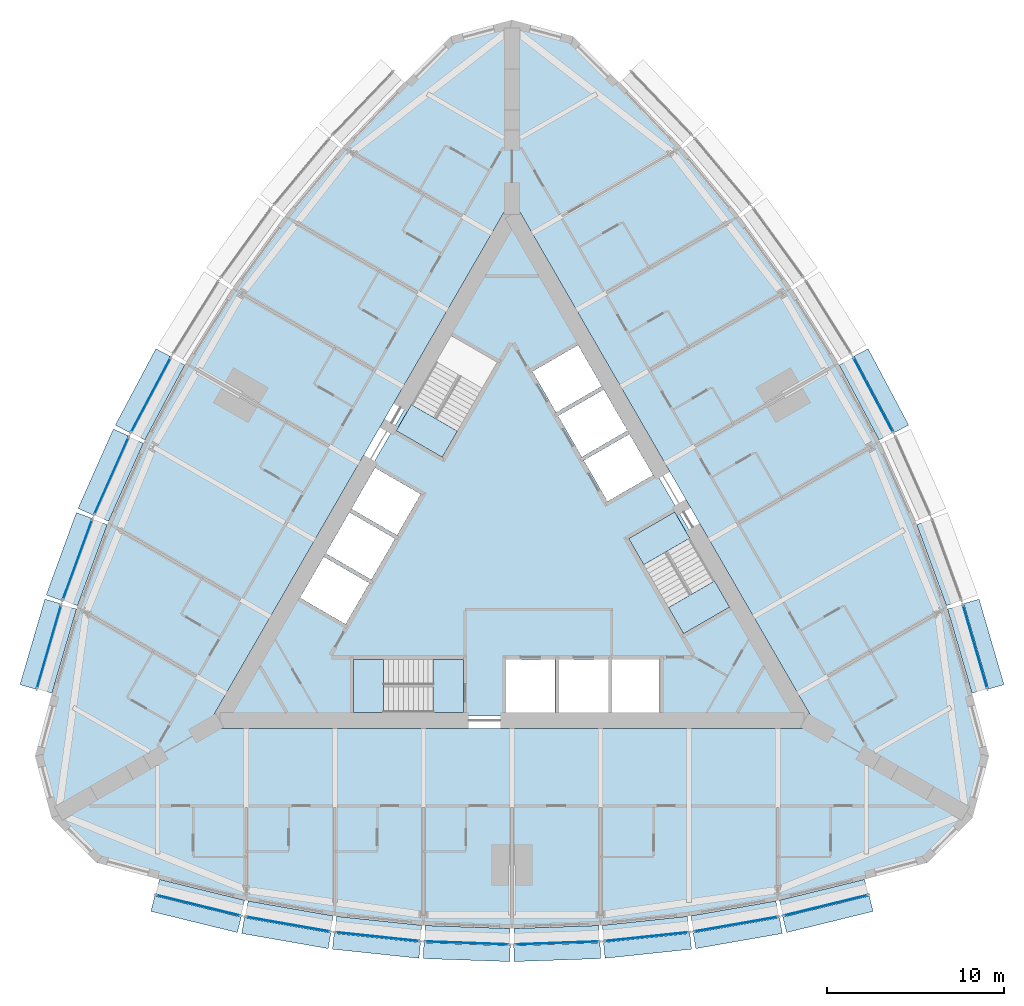
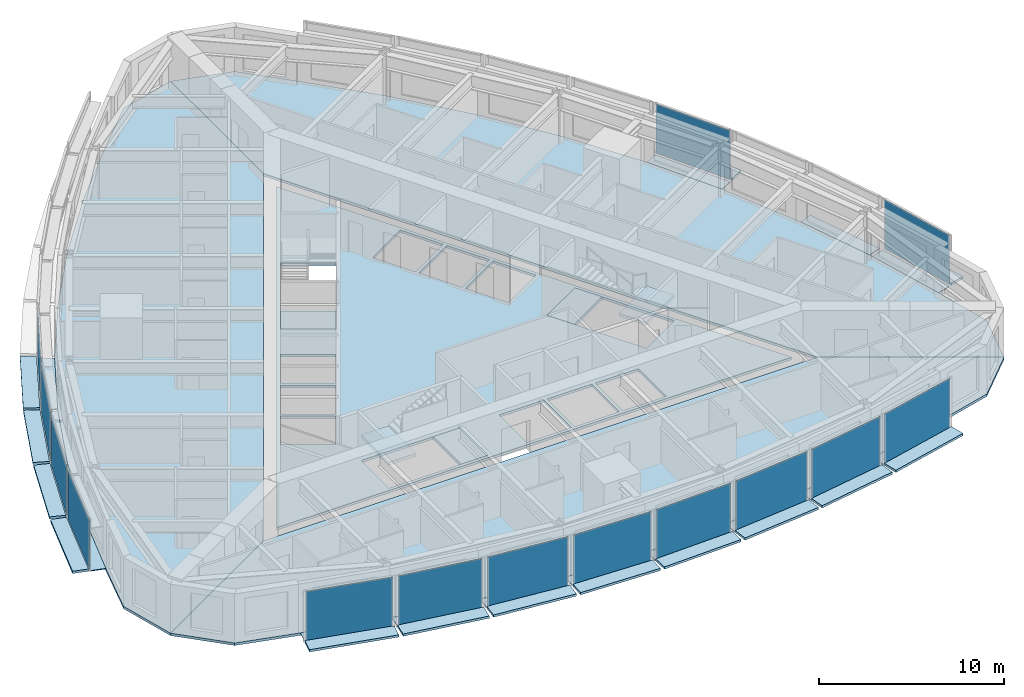
# One storey, part 6 of 14: 43 plates, 9 slabs, 17 elements without a shape of their own.
"""IFC4 building model written with IfcOpenShell, lengths in metres."""

from ifc_helpers import new_model, si_unit, direction, frame, origin, origin_2d, place, context, subcontext, project, spatial, polyline, rectangle, outline, extrude, material, layer, layer_set, type_object, element, aggregate, save


model = new_model("IFC4")

# Units and contexts
model_context = context("Model", 3, precision=1e-05, world=origin(), true_north=direction((0.0, 1.0)))
body_context = subcontext(model_context, "Body", "Model", "MODEL_VIEW")
ifc_project = project(units=[si_unit("LENGTHUNIT", "METRE"), si_unit("AREAUNIT", "SQUARE_METRE"), si_unit("VOLUMEUNIT", "CUBIC_METRE"), si_unit("PLANEANGLEUNIT", "RADIAN"), si_unit("MASSUNIT", "GRAM", prefix="KILO")], contexts=[model_context])

# Site, building, storey
site_placement = place(None, origin())
site = spatial("IfcSite", under=ifc_project, at=site_placement, CompositionType="ELEMENT")
building_placement = place(site_placement, origin())
building = spatial("IfcBuilding", under=site, at=building_placement, Name="Trikona Tower", CompositionType="ELEMENT")
storey_placement = place(building_placement, frame((0.0, 0.0, 114.699951171875)))
storey = spatial("IfcBuildingStorey", under=building, at=storey_placement, Name="L29", CompositionType="ELEMENT", Elevation=114.699951171875)

# Plates
ifc_material_1 = material(Name="Aluminium bar grating", Category="aluminium")
ifc_layer_1 = layer(ifc_material_1, 0.050048828125)
ifc_layer_set_1 = layer_set([ifc_layer_1], Name="Cavity catwalk grating")
plate_type_1 = type_object("IfcPlateType", Name="Cavity catwalk grating", PredefinedType="USERDEFINED", material=ifc_layer_set_1)
plate_1_placement = place(storey_placement, frame((-17.598876953125, -19.49072265625, -0.0498046875), z_axis=(0.0, 0.0, 1.0), x_axis=(0.971274411564, -0.237962218516, 0.0)))
element("IfcPlate", 1, at=plate_1_placement, inside=storey, type_object=plate_type_1, Name="Cavity catwalk L29-00", ObjectType="CATWALK GRATING", PredefinedType="USERDEFINED", context=body_context, shape_type="SweptSolid", body=[
    extrude(rectangle(XDim=4.947998046875, YDim=0.830078125, at=origin_2d()), origin(), (0.0, 0.0, 1.0), 0.050048828125),
])
plate_2_placement = place(storey_placement, frame((-12.571533203125, -20.54638671875, -0.0498046875), z_axis=(0.0, 0.0, 1.0), x_axis=(0.985030604067, -0.172379549401, 0.0)))
element("IfcPlate", 2, at=plate_2_placement, inside=storey, type_object=plate_type_1, Name="Cavity catwalk L29-01", ObjectType="CATWALK GRATING", PredefinedType="USERDEFINED", context=body_context, shape_type="SweptSolid", body=[
    extrude(rectangle(XDim=4.8759765625, YDim=0.830078125, at=origin_2d()), origin(), (0.0, 0.0, 1.0), 0.050048828125),
])
plate_3_placement = place(storey_placement, frame((-7.543212890625, -21.25048828125, -0.0498046875), z_axis=(0.0, 0.0, 1.0), x_axis=(0.994532653854, -0.104426052392, 0.0)))
element("IfcPlate", 3, at=plate_3_placement, inside=storey, type_object=plate_type_1, Name="Cavity catwalk L29-02", ObjectType="CATWALK GRATING", PredefinedType="USERDEFINED", context=body_context, shape_type="SweptSolid", body=[
    extrude(rectangle(XDim=4.827392578125, YDim=0.830078125, at=origin_2d()), origin(), (0.0, 0.0, 1.0), 0.050048828125),
])
for number, where, z_axis, x_axis, name in (
    (4, (-2.514404296875, -21.602294921875, -0.0498046875), (0.0, 0.0, 1.0), (0.999388082937, -0.034977988567, 0.0), "Cavity catwalk L29-03"),
    (5, (2.514404296875, -21.602294921875, -0.0498046875), (0.0, 0.0, 1.0), (0.999388082937, 0.034977988567, 0.0), "Cavity catwalk L29-04"),
):
    element("IfcPlate", number, at=place(storey_placement, frame(where, z_axis=z_axis, x_axis=x_axis)), inside=storey, type_object=plate_type_1, Name=name, ObjectType="CATWALK GRATING", PredefinedType="USERDEFINED", context=body_context, shape_type="SweptSolid", body=[
        extrude(rectangle(XDim=4.802978515625, YDim=0.830078125, at=origin_2d()), origin(), (0.0, 0.0, 1.0), 0.050048828125),
    ])
plate_4_placement = place(storey_placement, frame((7.543212890625, -21.25048828125, -0.0498046875), z_axis=(0.0, 0.0, 1.0), x_axis=(0.994532653854, 0.104426052392, 0.0)))
element("IfcPlate", 6, at=plate_4_placement, inside=storey, type_object=plate_type_1, Name="Cavity catwalk L29-05", ObjectType="CATWALK GRATING", PredefinedType="USERDEFINED", context=body_context, shape_type="SweptSolid", body=[
    extrude(rectangle(XDim=4.827392578125, YDim=0.830078125, at=origin_2d()), origin(), (0.0, 0.0, 1.0), 0.050048828125),
])
plate_5_placement = place(storey_placement, frame((12.571533203125, -20.54638671875, -0.0498046875), z_axis=(0.0, 0.0, 1.0), x_axis=(0.985030604067, 0.172379549401, 0.0)))
element("IfcPlate", 7, at=plate_5_placement, inside=storey, type_object=plate_type_1, Name="Cavity catwalk L29-06", ObjectType="CATWALK GRATING", PredefinedType="USERDEFINED", context=body_context, shape_type="SweptSolid", body=[
    extrude(rectangle(XDim=4.8759765625, YDim=0.830078125, at=origin_2d()), origin(), (0.0, 0.0, 1.0), 0.050048828125),
])
plate_6_placement = place(storey_placement, frame((17.598876953125, -19.49072265625, -0.0498046875), z_axis=(0.0, 0.0, 1.0), x_axis=(0.971274411564, 0.237962218516, 0.0)))
element("IfcPlate", 8, at=plate_6_placement, inside=storey, type_object=plate_type_1, Name="Cavity catwalk L29-07", ObjectType="CATWALK GRATING", PredefinedType="USERDEFINED", context=body_context, shape_type="SweptSolid", body=[
    extrude(rectangle(XDim=4.947998046875, YDim=0.830078125, at=origin_2d()), origin(), (0.0, 0.0, 1.0), 0.050048828125),
])
plate_7_placement = place(storey_placement, frame((25.678955078125, -5.49560546875, -0.0498046875), z_axis=(0.0, 0.0, 1.0), x_axis=(-0.279554203664, 0.960129911634, 0.0)))
element("IfcPlate", 9, at=plate_7_placement, inside=storey, type_object=plate_type_1, Name="Cavity catwalk L29-12", ObjectType="CATWALK GRATING", PredefinedType="USERDEFINED", context=body_context, shape_type="SweptSolid", body=[
    extrude(rectangle(XDim=4.94775390625, YDim=0.830078125, at=origin_2d()), origin(), (0.0, 0.0, 1.0), 0.050048828125),
])
plate_8_placement = place(storey_placement, frame((24.07958984375, -0.614013671875, -0.0498046875), z_axis=(0.0, 0.0, 1.0), x_axis=(-0.343220397324, 0.939254895575, 0.0)))
element("IfcPlate", 10, at=plate_8_placement, inside=storey, type_object=plate_type_1, Name="Cavity catwalk L29-13", ObjectType="CATWALK GRATING", PredefinedType="USERDEFINED", context=body_context, shape_type="SweptSolid", body=[
    extrude(rectangle(XDim=4.8759765625, YDim=0.830078125, at=origin_2d()), origin(), (0.0, 0.0, 1.0), 0.050048828125),
])
for number, where, z_axis, x_axis, name in (
    (11, (19.965576171875, 8.62353515625, -0.0498046875), (0.0, 0.0, 1.0), (-0.469397591494, 0.882986920118, 0.0), "Cavity catwalk L29-15"),
    (12, (-19.965576171875, 8.62353515625, -0.0498046875), (0.0, 0.0, 1.0), (-0.469397591494, -0.882986920118, 0.0), "Cavity catwalk L29-28"),
):
    element("IfcPlate", number, at=place(storey_placement, frame(where, z_axis=z_axis, x_axis=x_axis)), inside=storey, type_object=plate_type_1, Name=name, ObjectType="CATWALK GRATING", PredefinedType="USERDEFINED", context=body_context, shape_type="SweptSolid", body=[
        extrude(rectangle(XDim=4.802978515625, YDim=0.830078125, at=origin_2d()), origin(), (0.0, 0.0, 1.0), 0.050048828125),
    ])
plate_9_placement = place(storey_placement, frame((-22.175048828125, 4.092529296875, -0.0498046875), z_axis=(0.0, 0.0, 1.0), x_axis=(-0.406843467615, -0.913497888809, 0.0)))
element("IfcPlate", 13, at=plate_9_placement, inside=storey, type_object=plate_type_1, Name="Cavity catwalk L29-29", ObjectType="CATWALK GRATING", PredefinedType="USERDEFINED", context=body_context, shape_type="SweptSolid", body=[
    extrude(rectangle(XDim=4.827392578125, YDim=0.830078125, at=origin_2d()), origin(), (0.0, 0.0, 1.0), 0.050048828125),
])
plate_10_placement = place(storey_placement, frame((-24.07958984375, -0.614013671875, -0.0498046875), z_axis=(0.0, 0.0, 1.0), x_axis=(-0.343220397324, -0.939254895575, 0.0)))
element("IfcPlate", 14, at=plate_10_placement, inside=storey, type_object=plate_type_1, Name="Cavity catwalk L29-30", ObjectType="CATWALK GRATING", PredefinedType="USERDEFINED", context=body_context, shape_type="SweptSolid", body=[
    extrude(rectangle(XDim=4.8759765625, YDim=0.830078125, at=origin_2d()), origin(), (0.0, 0.0, 1.0), 0.050048828125),
])
plate_11_placement = place(storey_placement, frame((-25.678955078125, -5.49560546875, -0.0498046875), z_axis=(0.0, 0.0, 1.0), x_axis=(-0.279554203664, -0.960129911634, 0.0)))
element("IfcPlate", 15, at=plate_11_placement, inside=storey, type_object=plate_type_1, Name="Cavity catwalk L29-31", ObjectType="CATWALK GRATING", PredefinedType="USERDEFINED", context=body_context, shape_type="SweptSolid", body=[
    extrude(rectangle(XDim=4.94775390625, YDim=0.830078125, at=origin_2d()), origin(), (0.0, 0.0, 1.0), 0.050048828125),
])

# Slabs
ifc_material_2 = material(Name="Concrete f'c 5000 psi lightweight on composite steel deck", Category="concrete")
ifc_layer_2 = layer(ifc_material_2, 0.1650390625)
ifc_layer_set_2 = layer_set([ifc_layer_2], Name="Composite floor slab 165")
slab_type_1 = type_object("IfcSlabType", Name="Composite floor slab 165", PredefinedType="FLOOR", material=ifc_layer_set_2)
slab_1_placement = place(storey_placement, frame((0.0, 0.0, -0.1650390625)))
element("IfcSlab", 16, at=slab_1_placement, inside=storey, type_object=slab_type_1, Name="Floor slab L29 core", PredefinedType="FLOOR", context=body_context, shape_type="SweptSolid", body=[
    extrude(outline(polyline([(-16.06689453125, -9.2763671875), (16.06689453125, -9.2763671875), (0.0, 18.552490234375), (-16.06689453125, -9.2763671875)]), holes=[polyline([(12.285400390625, -3.126220703125), (9.185302734375, 2.2431640625), (6.587158203125, 0.7431640625), (9.687255859375, -4.626220703125), (12.285400390625, -3.126220703125)]), polyline([(8.340087890625, -9.06640625), (8.340087890625, -6.086181640625), (5.659912109375, -6.086181640625), (5.659912109375, -9.06640625), (8.340087890625, -9.06640625)]), polyline([(5.390869140625, 2.835205078125), (7.9716796875, 4.3251953125), (6.631591796875, 6.646240234375), (4.05078125, 5.15625), (5.390869140625, 2.835205078125)]), polyline([(2.600830078125, 7.667724609375), (3.94091796875, 5.3466796875), (6.521484375, 6.8369140625), (5.181640625, 9.15771484375), (2.600830078125, 7.667724609375)]), polyline([(5.43994140625, -6.086181640625), (2.659912109375, -6.086181640625), (2.659912109375, -9.06640625), (5.43994140625, -9.06640625), (5.43994140625, -6.086181640625)]), polyline([(3.731689453125, 11.669189453125), (1.15087890625, 10.17919921875), (2.490966796875, 7.858154296875), (5.071533203125, 9.34814453125), (3.731689453125, 11.669189453125)]), polyline([(-0.340087890625, -6.086181640625), (-0.340087890625, -9.06640625), (2.43994140625, -9.06640625), (2.43994140625, -6.086181640625), (-0.340087890625, -6.086181640625)]), polyline([(-3.435302734375, 12.202392578125), (-6.535400390625, 6.8330078125), (-3.937255859375, 5.3330078125), (-0.837158203125, 10.702392578125), (-3.435302734375, 12.202392578125)]), polyline([(-8.949951171875, -9.076416015625), (-2.75, -9.076416015625), (-2.75, -6.076416015625), (-8.949951171875, -6.076416015625), (-8.949951171875, -9.076416015625)]), polyline([(-5.15087890625, 3.2509765625), (-7.731689453125, 4.740966796875), (-9.071533203125, 2.419921875), (-6.490966796875, 0.929931640625), (-5.15087890625, 3.2509765625)]), polyline([(-7.94091796875, -1.581298828125), (-6.600830078125, 0.739501953125), (-9.181640625, 2.2294921875), (-10.521484375, -0.09130859375), (-7.94091796875, -1.581298828125)]), polyline([(-11.9716796875, -2.602783203125), (-9.390869140625, -4.093017578125), (-8.05078125, -1.77197265625), (-10.631591796875, -0.281982421875), (-11.9716796875, -2.602783203125)])]), origin(), (0.0, 0.0, 1.0), 0.1650390625),
])
slab_2_placement = place(storey_placement, frame((0.0, 0.0, -0.1650390625)))
element("IfcSlab", 17, at=slab_2_placement, inside=storey, type_object=slab_type_1, Name="Floor slab L29 south", PredefinedType="FLOOR", context=body_context, shape_type="SweptSolid", body=[
    extrude(outline(polyline([(23.464111328125, -17.547119140625), (26.0, -15.010986328125), (17.279296875, -9.976318359375), (-17.279296875, -9.976318359375), (-26.0, -15.010986328125), (-23.464111328125, -17.547119140625), (-20.0, -18.47509765625), (-15.0, -19.7001953125), (-10.0, -20.5751953125), (-5.0, -21.10009765625), (0.0, -21.275146484375), (5.0, -21.10009765625), (10.0, -20.5751953125), (15.0, -19.7001953125), (20.0, -18.47509765625), (23.464111328125, -17.547119140625)])), origin(), (0.0, 0.0, 1.0), 0.1650390625),
])
slab_3_placement = place(storey_placement, frame((0.0, 0.0, -0.1650390625)))
element("IfcSlab", 18, at=slab_3_placement, inside=storey, type_object=slab_type_1, Name="Floor slab L29 north-east", PredefinedType="FLOOR", context=body_context, shape_type="SweptSolid", body=[
    extrude(outline(polyline([(3.464111328125, 29.093994140625), (0.0, 30.022216796875), (0.0, 19.95263671875), (17.279296875, -9.976318359375), (26.0, -15.010986328125), (26.92822265625, -11.547119140625), (26.0, -8.0830078125), (24.560791015625, -3.140380859375), (22.818603515625, 1.62744140625), (20.773193359375, 6.219970703125), (18.4248046875, 10.6376953125), (15.773193359375, 14.880126953125), (12.818603515625, 18.947998046875), (9.560791015625, 22.840576171875), (6.0, 26.55810546875), (3.464111328125, 29.093994140625)])), origin(), (0.0, 0.0, 1.0), 0.1650390625),
])
slab_4_placement = place(storey_placement, frame((0.0, 0.0, -0.1650390625)))
element("IfcSlab", 19, at=slab_4_placement, inside=storey, type_object=slab_type_1, Name="Floor slab L29 north-west", PredefinedType="FLOOR", context=body_context, shape_type="SweptSolid", body=[
    extrude(outline(polyline([(0.0, 19.95263671875), (0.0, 30.022216796875), (-3.464111328125, 29.093994140625), (-6.0, 26.55810546875), (-9.560791015625, 22.840576171875), (-12.818603515625, 18.947998046875), (-15.773193359375, 14.880126953125), (-18.4248046875, 10.6376953125), (-20.773193359375, 6.219970703125), (-22.818603515625, 1.62744140625), (-24.560791015625, -3.140380859375), (-26.0, -8.0830078125), (-26.92822265625, -11.547119140625), (-26.0, -15.010986328125), (-17.279296875, -9.976318359375), (0.0, 19.95263671875)])), origin(), (0.0, 0.0, 1.0), 0.1650390625),
])

# Curtain wall, plate
ifc_material_3 = material(Name="Aluminium curtain wall system", Category="aluminium")
curtain_wall_type = type_object("IfcCurtainWallType", Name="Curtain wall DS2", PredefinedType="NOTDEFINED", material=ifc_material_3)
curtain_wall_1_placement = place(storey_placement, origin())
curtain_wall_1 = element("IfcCurtainWall", 20, at=curtain_wall_1_placement, inside=storey, type_object=curtain_wall_type, Name="Curtain wall DS2 L29", PredefinedType="NOTDEFINED")
ifc_material_4 = material(Name="Laminated clear glass", Category="glass")
ifc_layer_3 = layer(ifc_material_4, 0.028076171875)
ifc_layer_set_3 = layer_set([ifc_layer_3], Name="Glass panel DS2")
plate_type_2 = type_object("IfcPlateType", Name="Glass panel DS2", PredefinedType="CURTAIN_PANEL", material=ifc_layer_set_3)
plate_12_placement = place(storey_placement, frame((-17.714111328125, -19.9619140625, 0.080078125), z_axis=(0.0, 0.0, 1.0), x_axis=(0.971272455026, -0.237970204243, 0.0)))
plate_12 = element("IfcPlate", 21, at=plate_12_placement, type_object=plate_type_2, Name="CW-DS2 panel 1.1", PredefinedType="CURTAIN_PANEL", context=body_context, shape_type="SweptSolid", body=[
    extrude(rectangle(XDim=4.867919921875, YDim=0.028076171875, at=origin_2d()), origin(), (0.0, 0.0, 1.0), 3.239990234375),
])
aggregate(curtain_wall_1, [plate_12])

curtain_wall_2_placement = place(storey_placement, origin())
curtain_wall_2 = element("IfcCurtainWall", 22, at=curtain_wall_2_placement, inside=storey, type_object=curtain_wall_type, Name="Curtain wall DS2 L29", PredefinedType="NOTDEFINED")
plate_13_placement = place(storey_placement, frame((-12.655029296875, -21.024169921875, 0.080078125), z_axis=(0.0, 0.0, 1.0), x_axis=(0.985030981074, -0.17237739505, 0.0)))
plate_13 = element("IfcPlate", 23, at=plate_13_placement, type_object=plate_type_2, Name="CW-DS2 panel 1.1", PredefinedType="CURTAIN_PANEL", context=body_context, shape_type="SweptSolid", body=[
    extrude(rectangle(XDim=4.7958984375, YDim=0.028076171875, at=origin_2d()), origin(), (0.0, 0.0, 1.0), 3.239990234375),
])
aggregate(curtain_wall_2, [plate_13])

curtain_wall_3_placement = place(storey_placement, origin())
curtain_wall_3 = element("IfcCurtainWall", 24, at=curtain_wall_3_placement, inside=storey, type_object=curtain_wall_type, Name="Curtain wall DS2 L29", PredefinedType="NOTDEFINED")
plate_14_placement = place(storey_placement, frame((-7.593994140625, -21.732666015625, 0.080078125), z_axis=(0.0, 0.0, 1.0), x_axis=(0.994531883654, -0.104433387357, 0.0)))
plate_14 = element("IfcPlate", 25, at=plate_14_placement, type_object=plate_type_2, Name="CW-DS2 panel 1.1", PredefinedType="CURTAIN_PANEL", context=body_context, shape_type="SweptSolid", body=[
    extrude(rectangle(XDim=4.747314453125, YDim=0.028076171875, at=origin_2d()), origin(), (0.0, 0.0, 1.0), 3.239990234375),
])
aggregate(curtain_wall_3, [plate_14])

curtain_wall_4_placement = place(storey_placement, origin())
curtain_wall_4 = element("IfcCurtainWall", 26, at=curtain_wall_4_placement, inside=storey, type_object=curtain_wall_type, Name="Curtain wall DS2 L29", PredefinedType="NOTDEFINED")
plate_15_placement = place(storey_placement, frame((-2.531494140625, -22.087158203125, 0.080078125), z_axis=(0.0, 0.0, 1.0), x_axis=(0.99938737114, -0.034998320052, 0.0)))
plate_15 = element("IfcPlate", 27, at=plate_15_placement, type_object=plate_type_2, Name="CW-DS2 panel 1.1", PredefinedType="CURTAIN_PANEL", context=body_context, shape_type="SweptSolid", body=[
    extrude(rectangle(XDim=4.72314453125, YDim=0.028076171875, at=origin_2d()), origin(), (0.0, 0.0, 1.0), 3.239990234375),
])
aggregate(curtain_wall_4, [plate_15])

curtain_wall_5_placement = place(storey_placement, origin())
curtain_wall_5 = element("IfcCurtainWall", 28, at=curtain_wall_5_placement, inside=storey, type_object=curtain_wall_type, Name="Curtain wall DS2 L29", PredefinedType="NOTDEFINED")
plate_16_placement = place(storey_placement, frame((2.531494140625, -22.087158203125, 0.080078125), z_axis=(0.0, 0.0, 1.0), x_axis=(0.99938737114, 0.034998320052, 0.0)))
plate_16 = element("IfcPlate", 29, at=plate_16_placement, type_object=plate_type_2, Name="CW-DS2 panel 1.1", PredefinedType="CURTAIN_PANEL", context=body_context, shape_type="SweptSolid", body=[
    extrude(rectangle(XDim=4.72314453125, YDim=0.028076171875, at=origin_2d()), origin(), (0.0, 0.0, 1.0), 3.239990234375),
])
aggregate(curtain_wall_5, [plate_16])

curtain_wall_6_placement = place(storey_placement, origin())
curtain_wall_6 = element("IfcCurtainWall", 30, at=curtain_wall_6_placement, inside=storey, type_object=curtain_wall_type, Name="Curtain wall DS2 L29", PredefinedType="NOTDEFINED")
plate_17_placement = place(storey_placement, frame((7.593994140625, -21.732666015625, 0.080078125), z_axis=(0.0, 0.0, 1.0), x_axis=(0.994531883654, 0.104433387357, 0.0)))
plate_17 = element("IfcPlate", 31, at=plate_17_placement, type_object=plate_type_2, Name="CW-DS2 panel 1.1", PredefinedType="CURTAIN_PANEL", context=body_context, shape_type="SweptSolid", body=[
    extrude(rectangle(XDim=4.747314453125, YDim=0.028076171875, at=origin_2d()), origin(), (0.0, 0.0, 1.0), 3.239990234375),
])
aggregate(curtain_wall_6, [plate_17])

curtain_wall_7_placement = place(storey_placement, origin())
curtain_wall_7 = element("IfcCurtainWall", 32, at=curtain_wall_7_placement, inside=storey, type_object=curtain_wall_type, Name="Curtain wall DS2 L29", PredefinedType="NOTDEFINED")
plate_18_placement = place(storey_placement, frame((12.655029296875, -21.024169921875, 0.080078125), z_axis=(0.0, 0.0, 1.0), x_axis=(0.985030981074, 0.17237739505, 0.0)))
plate_18 = element("IfcPlate", 33, at=plate_18_placement, type_object=plate_type_2, Name="CW-DS2 panel 1.1", PredefinedType="CURTAIN_PANEL", context=body_context, shape_type="SweptSolid", body=[
    extrude(rectangle(XDim=4.7958984375, YDim=0.028076171875, at=origin_2d()), origin(), (0.0, 0.0, 1.0), 3.239990234375),
])
aggregate(curtain_wall_7, [plate_18])

curtain_wall_8_placement = place(storey_placement, origin())
curtain_wall_8 = element("IfcCurtainWall", 34, at=curtain_wall_8_placement, inside=storey, type_object=curtain_wall_type, Name="Curtain wall DS2 L29", PredefinedType="NOTDEFINED")
plate_19_placement = place(storey_placement, frame((17.714111328125, -19.9619140625, 0.080078125), z_axis=(0.0, 0.0, 1.0), x_axis=(0.971272455026, 0.237970204243, 0.0)))
plate_19 = element("IfcPlate", 35, at=plate_19_placement, type_object=plate_type_2, Name="CW-DS2 panel 1.1", PredefinedType="CURTAIN_PANEL", context=body_context, shape_type="SweptSolid", body=[
    extrude(rectangle(XDim=4.867919921875, YDim=0.028076171875, at=origin_2d()), origin(), (0.0, 0.0, 1.0), 3.239990234375),
])
aggregate(curtain_wall_8, [plate_19])

curtain_wall_9_placement = place(storey_placement, origin())
curtain_wall_9 = element("IfcCurtainWall", 36, at=curtain_wall_9_placement, inside=storey, type_object=curtain_wall_type, Name="Curtain wall DS2 L29", PredefinedType="NOTDEFINED")
plate_20_placement = place(storey_placement, frame((26.14453125, -5.360107421875, 0.080078125), z_axis=(0.0, 0.0, 1.0), x_axis=(-0.279543247757, 0.96013310152, 0.0)))
plate_20 = element("IfcPlate", 37, at=plate_20_placement, type_object=plate_type_2, Name="CW-DS2 panel 1.1", PredefinedType="CURTAIN_PANEL", context=body_context, shape_type="SweptSolid", body=[
    extrude(rectangle(XDim=4.867919921875, YDim=0.028076171875, at=origin_2d()), origin(), (0.0, 0.0, 1.0), 3.239990234375),
])
aggregate(curtain_wall_9, [plate_20])

curtain_wall_10_placement = place(storey_placement, origin())
curtain_wall_10 = element("IfcCurtainWall", 38, at=curtain_wall_10_placement, inside=storey, type_object=curtain_wall_type, Name="Curtain wall DS2 L29", PredefinedType="NOTDEFINED")
plate_21_placement = place(storey_placement, frame((20.393798828125, 8.851318359375, 0.080078125), z_axis=(0.0, 0.0, 1.0), x_axis=(-0.469380308937, 0.882996107343, 0.0)))
plate_21 = element("IfcPlate", 39, at=plate_21_placement, type_object=plate_type_2, Name="CW-DS2 panel 1.1", PredefinedType="CURTAIN_PANEL", context=body_context, shape_type="SweptSolid", body=[
    extrude(rectangle(XDim=4.72314453125, YDim=0.028076171875, at=origin_2d()), origin(), (0.0, 0.0, 1.0), 3.239990234375),
])
aggregate(curtain_wall_10, [plate_21])

curtain_wall_11_placement = place(storey_placement, origin())
curtain_wall_11 = element("IfcCurtainWall", 40, at=curtain_wall_11_placement, inside=storey, type_object=curtain_wall_type, Name="Curtain wall DS2 L29", PredefinedType="NOTDEFINED")
plate_22_placement = place(storey_placement, frame((-20.393798828125, 8.851318359375, 0.080078125), z_axis=(0.0, 0.0, 1.0), x_axis=(-0.469380308937, -0.882996107343, 0.0)))
plate_22 = element("IfcPlate", 41, at=plate_22_placement, type_object=plate_type_2, Name="CW-DS2 panel 1.1", PredefinedType="CURTAIN_PANEL", context=body_context, shape_type="SweptSolid", body=[
    extrude(rectangle(XDim=4.72314453125, YDim=0.028076171875, at=origin_2d()), origin(), (0.0, 0.0, 1.0), 3.239990234375),
])
aggregate(curtain_wall_11, [plate_22])

curtain_wall_12_placement = place(storey_placement, origin())
curtain_wall_12 = element("IfcCurtainWall", 42, at=curtain_wall_12_placement, inside=storey, type_object=curtain_wall_type, Name="Curtain wall DS2 L29", PredefinedType="NOTDEFINED")
plate_23_placement = place(storey_placement, frame((-22.6181640625, 4.289794921875, 0.080078125), z_axis=(0.0, 0.0, 1.0), x_axis=(-0.406836013132, -0.913501208767, 0.0)))
plate_23 = element("IfcPlate", 43, at=plate_23_placement, type_object=plate_type_2, Name="CW-DS2 panel 1.1", PredefinedType="CURTAIN_PANEL", context=body_context, shape_type="SweptSolid", body=[
    extrude(rectangle(XDim=4.747314453125, YDim=0.028076171875, at=origin_2d()), origin(), (0.0, 0.0, 1.0), 3.239990234375),
])
aggregate(curtain_wall_12, [plate_23])

curtain_wall_13_placement = place(storey_placement, origin())
curtain_wall_13 = element("IfcCurtainWall", 44, at=curtain_wall_13_placement, inside=storey, type_object=curtain_wall_type, Name="Curtain wall DS2 L29", PredefinedType="NOTDEFINED")
plate_24_placement = place(storey_placement, frame((-24.53515625, -0.447509765625, 0.080078125), z_axis=(0.0, 0.0, 1.0), x_axis=(-0.343223420143, -0.939253790978, 0.0)))
plate_24 = element("IfcPlate", 45, at=plate_24_placement, type_object=plate_type_2, Name="CW-DS2 panel 1.1", PredefinedType="CURTAIN_PANEL", context=body_context, shape_type="SweptSolid", body=[
    extrude(rectangle(XDim=4.7958984375, YDim=0.028076171875, at=origin_2d()), origin(), (0.0, 0.0, 1.0), 3.239990234375),
])
aggregate(curtain_wall_13, [plate_24])

curtain_wall_14_placement = place(storey_placement, origin())
curtain_wall_14 = element("IfcCurtainWall", 46, at=curtain_wall_14_placement, inside=storey, type_object=curtain_wall_type, Name="Curtain wall DS2 L29", PredefinedType="NOTDEFINED")
plate_25_placement = place(storey_placement, frame((-26.14453125, -5.360107421875, 0.080078125), z_axis=(0.0, 0.0, 1.0), x_axis=(-0.279543247757, -0.96013310152, 0.0)))
plate_25 = element("IfcPlate", 47, at=plate_25_placement, type_object=plate_type_2, Name="CW-DS2 panel 1.1", PredefinedType="CURTAIN_PANEL", context=body_context, shape_type="SweptSolid", body=[
    extrude(rectangle(XDim=4.867919921875, YDim=0.028076171875, at=origin_2d()), origin(), (0.0, 0.0, 1.0), 3.239990234375),
])
aggregate(curtain_wall_14, [plate_25])

# Plates
ifc_material_5 = material(Name="Aluminium plate fin, pale anodised, on stainless steel outriggers", Category="steel")
ifc_layer_4 = layer(ifc_material_5, 0.14990234375)
ifc_layer_set_4 = layer_set([ifc_layer_4], Name="Outer skin fin 900")
plate_type_3 = type_object("IfcPlateType", Name="Outer skin fin 900", PredefinedType="USERDEFINED", material=ifc_layer_set_4)
plate_26_placement = place(storey_placement, frame((-17.837890625, -20.466796875, 0.0), z_axis=(0.0, 0.0, 1.0), x_axis=(0.971274411564, -0.237962218516, 0.0)))
element("IfcPlate", 48, at=plate_26_placement, inside=storey, type_object=plate_type_3, Name="Outer skin fin L29-00", ObjectType="FIN", PredefinedType="USERDEFINED", context=body_context, shape_type="SweptSolid", body=[
    extrude(rectangle(XDim=5.02783203125, YDim=0.89990234375, at=origin_2d()), origin(), (0.0, 0.0, 1.0), 0.14990234375),
])
plate_27_placement = place(storey_placement, frame((-12.744873046875, -21.536376953125, 0.0), z_axis=(0.0, 0.0, 1.0), x_axis=(0.985030604067, -0.172379549401, 0.0)))
element("IfcPlate", 49, at=plate_27_placement, inside=storey, type_object=plate_type_3, Name="Outer skin fin L29-01", ObjectType="FIN", PredefinedType="USERDEFINED", context=body_context, shape_type="SweptSolid", body=[
    extrude(rectangle(XDim=4.9560546875, YDim=0.89990234375, at=origin_2d()), origin(), (0.0, 0.0, 1.0), 0.14990234375),
])
plate_28_placement = place(storey_placement, frame((-7.648193359375, -22.25, 0.0), z_axis=(0.0, 0.0, 1.0), x_axis=(0.994532653854, -0.104426052392, 0.0)))
element("IfcPlate", 50, at=plate_28_placement, inside=storey, type_object=plate_type_3, Name="Outer skin fin L29-02", ObjectType="FIN", PredefinedType="USERDEFINED", context=body_context, shape_type="SweptSolid", body=[
    extrude(rectangle(XDim=4.907470703125, YDim=0.89990234375, at=origin_2d()), origin(), (0.0, 0.0, 1.0), 0.14990234375),
])
for number, where, z_axis, x_axis, name in (
    (51, (-2.5498046875, -22.606689453125, 0.0), (0.0, 0.0, 1.0), (0.999388082937, -0.034977988567, 0.0), "Outer skin fin L29-03"),
    (52, (2.5498046875, -22.606689453125, 0.0), (0.0, 0.0, 1.0), (0.999388082937, 0.034977988567, 0.0), "Outer skin fin L29-04"),
):
    element("IfcPlate", number, at=place(storey_placement, frame(where, z_axis=z_axis, x_axis=x_axis)), inside=storey, type_object=plate_type_3, Name=name, ObjectType="FIN", PredefinedType="USERDEFINED", context=body_context, shape_type="SweptSolid", body=[
        extrude(rectangle(XDim=4.883056640625, YDim=0.89990234375, at=origin_2d()), origin(), (0.0, 0.0, 1.0), 0.14990234375),
    ])
plate_29_placement = place(storey_placement, frame((7.648193359375, -22.25, 0.0), z_axis=(0.0, 0.0, 1.0), x_axis=(0.994532653854, 0.104426052392, 0.0)))
element("IfcPlate", 53, at=plate_29_placement, inside=storey, type_object=plate_type_3, Name="Outer skin fin L29-05", ObjectType="FIN", PredefinedType="USERDEFINED", context=body_context, shape_type="SweptSolid", body=[
    extrude(rectangle(XDim=4.907470703125, YDim=0.89990234375, at=origin_2d()), origin(), (0.0, 0.0, 1.0), 0.14990234375),
])
plate_30_placement = place(storey_placement, frame((12.744873046875, -21.536376953125, 0.0), z_axis=(0.0, 0.0, 1.0), x_axis=(0.985030604067, 0.172379549401, 0.0)))
element("IfcPlate", 54, at=plate_30_placement, inside=storey, type_object=plate_type_3, Name="Outer skin fin L29-06", ObjectType="FIN", PredefinedType="USERDEFINED", context=body_context, shape_type="SweptSolid", body=[
    extrude(rectangle(XDim=4.9560546875, YDim=0.89990234375, at=origin_2d()), origin(), (0.0, 0.0, 1.0), 0.14990234375),
])
for number, where, z_axis, x_axis, name in (
    (55, (17.837890625, -20.466796875, 0.0), (0.0, 0.0, 1.0), (0.971274411564, 0.237962218516, 0.0), "Outer skin fin L29-07"),
    (56, (26.643798828125, -5.214599609375, 0.0), (0.0, 0.0, 1.0), (-0.279554203664, 0.960129911634, 0.0), "Outer skin fin L29-12"),
):
    element("IfcPlate", number, at=place(storey_placement, frame(where, z_axis=z_axis, x_axis=x_axis)), inside=storey, type_object=plate_type_3, Name=name, ObjectType="FIN", PredefinedType="USERDEFINED", context=body_context, shape_type="SweptSolid", body=[
        extrude(rectangle(XDim=5.02783203125, YDim=0.89990234375, at=origin_2d()), origin(), (0.0, 0.0, 1.0), 0.14990234375),
    ])
for number, where, z_axis, x_axis, name in (
    (57, (20.852783203125, 9.09521484375, 0.0), (0.0, 0.0, 1.0), (-0.469397591494, 0.882986920118, 0.0), "Outer skin fin L29-15"),
    (58, (-20.852783203125, 9.09521484375, 0.0), (0.0, 0.0, 1.0), (-0.469397591494, -0.882986920118, 0.0), "Outer skin fin L29-28"),
):
    element("IfcPlate", number, at=place(storey_placement, frame(where, z_axis=z_axis, x_axis=x_axis)), inside=storey, type_object=plate_type_3, Name=name, ObjectType="FIN", PredefinedType="USERDEFINED", context=body_context, shape_type="SweptSolid", body=[
        extrude(rectangle(XDim=4.883056640625, YDim=0.89990234375, at=origin_2d()), origin(), (0.0, 0.0, 1.0), 0.14990234375),
    ])
plate_31_placement = place(storey_placement, frame((-23.09326171875, 4.50146484375, 0.0), z_axis=(0.0, 0.0, 1.0), x_axis=(-0.406843467615, -0.913497888809, 0.0)))
element("IfcPlate", 59, at=plate_31_placement, inside=storey, type_object=plate_type_3, Name="Outer skin fin L29-29", ObjectType="FIN", PredefinedType="USERDEFINED", context=body_context, shape_type="SweptSolid", body=[
    extrude(rectangle(XDim=4.907470703125, YDim=0.89990234375, at=origin_2d()), origin(), (0.0, 0.0, 1.0), 0.14990234375),
])
plate_32_placement = place(storey_placement, frame((-25.0234375, -0.26904296875, 0.0), z_axis=(0.0, 0.0, 1.0), x_axis=(-0.343220397324, -0.939254895575, 0.0)))
element("IfcPlate", 60, at=plate_32_placement, inside=storey, type_object=plate_type_3, Name="Outer skin fin L29-30", ObjectType="FIN", PredefinedType="USERDEFINED", context=body_context, shape_type="SweptSolid", body=[
    extrude(rectangle(XDim=4.9560546875, YDim=0.89990234375, at=origin_2d()), origin(), (0.0, 0.0, 1.0), 0.14990234375),
])
plate_33_placement = place(storey_placement, frame((-26.643798828125, -5.214599609375, 0.0), z_axis=(0.0, 0.0, 1.0), x_axis=(-0.279554203664, -0.960129911634, 0.0)))
element("IfcPlate", 61, at=plate_33_placement, inside=storey, type_object=plate_type_3, Name="Outer skin fin L29-31", ObjectType="FIN", PredefinedType="USERDEFINED", context=body_context, shape_type="SweptSolid", body=[
    extrude(rectangle(XDim=5.02783203125, YDim=0.89990234375, at=origin_2d()), origin(), (0.0, 0.0, 1.0), 0.14990234375),
])

# Stair, slabs
ifc_material_6 = material(Name="Concrete f'c 5000 psi", Category="concrete")
stair_type = type_object("IfcStairType", Name="Core stair", PredefinedType="HALF_TURN_STAIR", material=ifc_material_6)
stair_1_placement = place(storey_placement, origin())
stair_1 = element("IfcStair", 62, at=stair_1_placement, inside=storey, type_object=stair_type, Name="Stair A L29", PredefinedType="HALF_TURN_STAIR")
ifc_material_7 = material(Name="Concrete f'c 5000 psi", Category="concrete")
ifc_layer_5 = layer(ifc_material_7, 0.199951171875)
ifc_layer_set_5 = layer_set([ifc_layer_5], Name="Stair landing 200")
slab_type_2 = type_object("IfcSlabType", Name="Stair landing 200", PredefinedType="LANDING", material=ifc_layer_set_5)
slab_5_placement = place(storey_placement, frame((0.0, 0.0, -0.199951171875)))
slab_5 = element("IfcSlab", 63, at=slab_5_placement, type_object=slab_type_2, Name="ST-A landing 1", PredefinedType="LANDING", context=body_context, shape_type="SweptSolid", body=[
    extrude(outline(polyline([(-4.452880859375, -6.076416015625), (-2.75, -6.076416015625), (-2.75, -9.076416015625), (-4.452880859375, -9.076416015625), (-4.452880859375, -6.076416015625)])), origin(), (0.0, 0.0, 1.0), 0.199951171875),
])
slab_6_placement = place(storey_placement, frame((0.0, 0.0, 1.5)))
slab_6 = element("IfcSlab", 64, at=slab_6_placement, type_object=slab_type_2, Name="ST-A landing 2", PredefinedType="LANDING", context=body_context, shape_type="SweptSolid", body=[
    extrude(outline(polyline([(-8.949951171875, -6.076416015625), (-7.2470703125, -6.076416015625), (-7.2470703125, -9.076416015625), (-8.949951171875, -9.076416015625), (-8.949951171875, -6.076416015625)])), origin(), (0.0, 0.0, 1.0), 0.199951171875),
])
aggregate(stair_1, [slab_5, slab_6])

stair_2_placement = place(storey_placement, origin())
stair_2 = element("IfcStair", 65, at=stair_2_placement, inside=storey, type_object=stair_type, Name="Stair B L29", PredefinedType="HALF_TURN_STAIR")
slab_7_placement = place(storey_placement, frame((0.0, 0.0, -0.199951171875)))
slab_7 = element("IfcSlab", 66, at=slab_7_placement, type_object=slab_type_2, Name="ST-B landing 1", PredefinedType="LANDING", context=body_context, shape_type="SweptSolid", body=[
    extrude(outline(polyline([(7.438720703125, -0.731689453125), (6.587158203125, 0.7431640625), (9.185302734375, 2.2431640625), (10.036865234375, 0.768310546875), (7.438720703125, -0.731689453125)])), origin(), (0.0, 0.0, 1.0), 0.199951171875),
])
slab_8_placement = place(storey_placement, frame((0.0, 0.0, 1.5)))
slab_8 = element("IfcSlab", 67, at=slab_8_placement, type_object=slab_type_2, Name="ST-B landing 2", PredefinedType="LANDING", context=body_context, shape_type="SweptSolid", body=[
    extrude(outline(polyline([(9.687255859375, -4.626220703125), (8.835693359375, -3.1513671875), (11.433837890625, -1.6513671875), (12.285400390625, -3.126220703125), (9.687255859375, -4.626220703125)])), origin(), (0.0, 0.0, 1.0), 0.199951171875),
])
aggregate(stair_2, [slab_7, slab_8])

# Stair, slab
stair_3_placement = place(storey_placement, origin())
stair_3 = element("IfcStair", 68, at=stair_3_placement, inside=storey, type_object=stair_type, Name="Stair C L29", PredefinedType="HALF_TURN_STAIR")
slab_9_placement = place(storey_placement, frame((0.0, 0.0, -0.199951171875)))
slab_9 = element("IfcSlab", 69, at=slab_9_placement, type_object=slab_type_2, Name="ST-C landing 1", PredefinedType="LANDING", context=body_context, shape_type="SweptSolid", body=[
    extrude(outline(polyline([(-3.085693359375, 6.807861328125), (-3.937255859375, 5.3330078125), (-6.535400390625, 6.8330078125), (-5.683837890625, 8.307861328125), (-3.085693359375, 6.807861328125)])), origin(), (0.0, 0.0, 1.0), 0.199951171875),
])
aggregate(stair_3, [slab_9])

save(model, "model.ifc")
